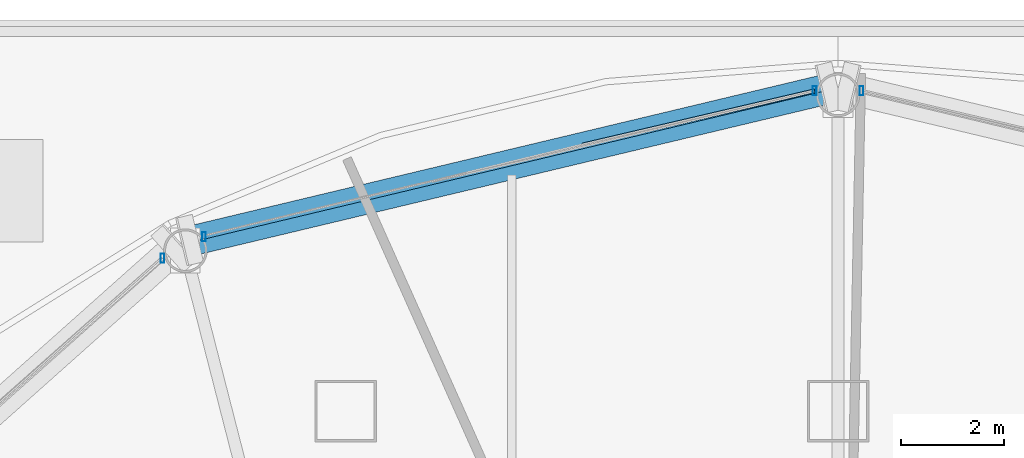
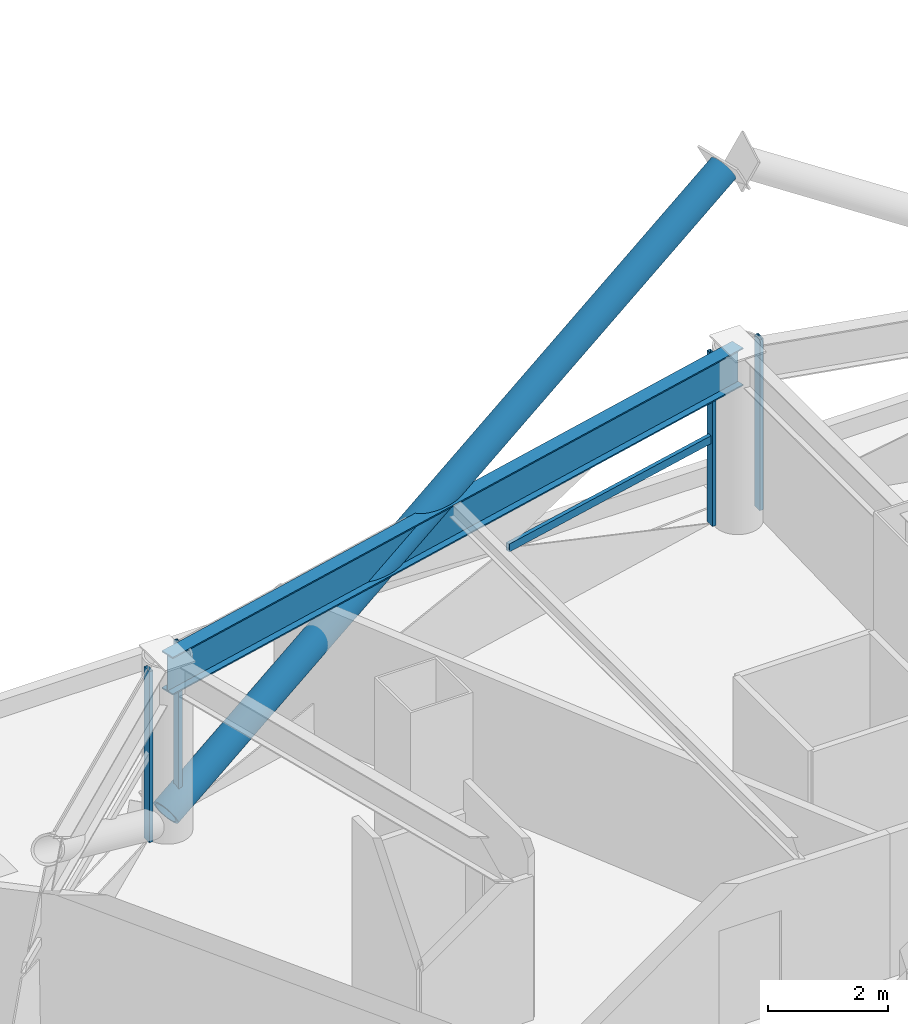
# One storey, part 14 of 27: 6 members, 1 beam, 3 elements without a shape of their own.
"""IFC4 building model written with IfcOpenShell, lengths in metres."""

from ifc_helpers import new_model, si_unit, direction, frame, origin, origin_2d, place, context, subcontext, project, spatial, hollow_rectangle, hollow_circle, i_section, extrude, material, layer, layer_set, material_profile, profile_set, type_object, element, aggregate, save


model = new_model("IFC4")

# Units and contexts
model_context = context("Model", 3, precision=1e-05, world=origin(), true_north=direction((0.0, 1.0)))
body_context = subcontext(model_context, "Body", "Model", "MODEL_VIEW")
ifc_project = project(units=[si_unit("LENGTHUNIT", "METRE"), si_unit("AREAUNIT", "SQUARE_METRE"), si_unit("VOLUMEUNIT", "CUBIC_METRE"), si_unit("PLANEANGLEUNIT", "RADIAN"), si_unit("MASSUNIT", "GRAM", prefix="KILO")], contexts=[model_context])

# Site, building, storey
site_placement = place(None, origin())
site = spatial("IfcSite", under=ifc_project, at=site_placement, CompositionType="ELEMENT")
building_placement = place(site_placement, origin())
building = spatial("IfcBuilding", under=site, at=building_placement, Name="Vantalir Tower", CompositionType="ELEMENT")
storey_placement = place(building_placement, frame((0.0, 0.0, 27.0)))
storey = spatial("IfcBuildingStorey", under=building, at=storey_placement, Name="L05", CompositionType="ELEMENT", Elevation=27.0)

# Beam
ifc_material_1 = material(Name="Steel S460", Category="steel")
ifc_material_profile_1 = material_profile(ifc_material_1, i_section(OverallWidth=0.26806640625, OverallDepth=0.77001953125, WebThickness=0.015625, FlangeThickness=0.025390625, at=origin_2d()), Name="Steel S460")
ifc_profile_set_1 = profile_set([ifc_material_profile_1], Name="Steel S460")
beam_type = type_object("IfcBeamType", Name="BM-RG-762x267", PredefinedType="USERDEFINED", material=ifc_profile_set_1)
beam_placement = place(storey_placement, frame((31.5, 47.6640625, 3.18505859375), z_axis=(-0.972696777879, -0.232079680935, 0.0), x_axis=(0.232079680935, -0.972696777879, 0.0)))
element("IfcBeam", 1, at=beam_placement, inside=storey, type_object=beam_type, Name="L05 Circumferential Ring Girder 04", ObjectType="GIRDER", PredefinedType="USERDEFINED", context=body_context, shape_type="SweptSolid", body=[
    extrude(i_section(OverallWidth=0.26806640625, OverallDepth=0.77001953125, WebThickness=0.015625, FlangeThickness=0.025390625, at=origin_2d()), origin(), (0.0, 0.0, 1.0), 13.082275390625),
])

# Curtain wall, member
ifc_material_2 = material(Name="Champagne-silver PVDF aluminium and double-silver Low-E glass", Category="aluminium")
ifc_layer = layer(ifc_material_2, 0.18994140625)
ifc_layer_set = layer_set([ifc_layer], Name="Champagne-silver PVDF aluminium and double-silver Low-E glass")
curtain_wall_type = type_object("IfcCurtainWallType", Name="CW-DIAMOND-Z1", PredefinedType="USERDEFINED", material=ifc_layer_set)
curtain_wall_1_placement = place(storey_placement, origin())
curtain_wall_1 = element("IfcCurtainWall", 2, at=curtain_wall_1_placement, inside=storey, type_object=curtain_wall_type, Name="L05 Quilted Pyramid-Diamond Curtain Wall S03", ObjectType="UNITISED CURTAIN WALL", PredefinedType="USERDEFINED")
ifc_material_3 = material(Name="Champagne-silver PVDF aluminium 6063-T6", Category="aluminium")
ifc_material_profile_2 = material_profile(ifc_material_3, hollow_rectangle(XDim=0.074951171875, YDim=0.179931640625, WallThickness=0.00390625, at=origin_2d()), Name="Champagne-silver PVDF aluminium 6063-T6")
ifc_profile_set_2 = profile_set([ifc_material_profile_2], Name="Champagne-silver PVDF aluminium 6063-T6")
member_type_1 = type_object("IfcMemberType", Name="CWM-180x75", PredefinedType="MULLION", material=ifc_profile_set_2)
member_1_placement = place(storey_placement, frame((31.95703125, 47.7451171875, 0.044921875), z_axis=(0.0, 0.0, 1.0), x_axis=(1.0, 0.0, 0.0)))
member_1 = element("IfcMember", 3, at=member_1_placement, type_object=member_type_1, Name="CW-L05-S03 Mullion 2", PredefinedType="MULLION", context=body_context, shape_type="SweptSolid", body=[
    extrude(hollow_rectangle(XDim=0.074951171875, YDim=0.179931640625, WallThickness=0.00390625, at=origin_2d()), origin(), (0.0, 0.0, 1.0), 3.47998046875),
])
aggregate(curtain_wall_1, [member_1])

# Curtain wall, members
curtain_wall_2_placement = place(storey_placement, origin())
curtain_wall_2 = element("IfcCurtainWall", 4, at=curtain_wall_2_placement, inside=storey, type_object=curtain_wall_type, Name="L05 Quilted Pyramid-Diamond Curtain Wall S04", ObjectType="UNITISED CURTAIN WALL", PredefinedType="USERDEFINED")
member_2_placement = place(storey_placement, frame((31.04296875, 47.7451171875, 0.044921875), z_axis=(0.0, 0.0, 1.0), x_axis=(1.0, 0.0, 0.0)))
member_2 = element("IfcMember", 5, at=member_2_placement, type_object=member_type_1, Name="CW-L05-S04 Mullion 1", PredefinedType="MULLION", context=body_context, shape_type="SweptSolid", body=[
    extrude(hollow_rectangle(XDim=0.074951171875, YDim=0.179931640625, WallThickness=0.00390625, at=origin_2d()), origin(), (0.0, 0.0, 1.0), 3.47998046875),
])
member_3_placement = place(storey_placement, frame((19.136962890625, 44.90087890625, 0.044921875), z_axis=(0.0, 0.0, 1.0), x_axis=(1.0, 0.0, 0.0)))
member_3 = element("IfcMember", 6, at=member_3_placement, type_object=member_type_1, Name="CW-L05-S04 Mullion 2", PredefinedType="MULLION", context=body_context, shape_type="SweptSolid", body=[
    extrude(hollow_rectangle(XDim=0.074951171875, YDim=0.179931640625, WallThickness=0.00390625, at=origin_2d()), origin(), (0.0, 0.0, 1.0), 3.47998046875),
])

# Curtain wall, member
curtain_wall_3_placement = place(storey_placement, origin())
curtain_wall_3 = element("IfcCurtainWall", 7, at=curtain_wall_3_placement, inside=storey, type_object=curtain_wall_type, Name="L05 Quilted Pyramid-Diamond Curtain Wall S05", ObjectType="UNITISED CURTAIN WALL", PredefinedType="USERDEFINED")
member_4_placement = place(storey_placement, frame((18.3291015625, 44.47900390625, 0.044921875), z_axis=(0.0, 0.0, 1.0), x_axis=(1.0, 0.0, 0.0)))
member_4 = element("IfcMember", 8, at=member_4_placement, type_object=member_type_1, Name="CW-L05-S05 Mullion 1", PredefinedType="MULLION", context=body_context, shape_type="SweptSolid", body=[
    extrude(hollow_rectangle(XDim=0.074951171875, YDim=0.179931640625, WallThickness=0.00390625, at=origin_2d()), origin(), (0.0, 0.0, 1.0), 3.47998046875),
])
aggregate(curtain_wall_3, [member_4])

# Member
ifc_material_profile_3 = material_profile(ifc_material_3, hollow_rectangle(XDim=0.074951171875, YDim=0.159912109375, WallThickness=0.00390625, at=origin_2d()), Name="Champagne-silver PVDF aluminium 6063-T6")
ifc_profile_set_3 = profile_set([ifc_material_profile_3], Name="Champagne-silver PVDF aluminium 6063-T6")
member_type_2 = type_object("IfcMemberType", Name="CWT-160x75", PredefinedType="USERDEFINED", material=ifc_profile_set_3)
member_5_placement = place(storey_placement, frame((31.04296875, 47.7451171875, 1.784912109375), z_axis=(-0.973835402479, -0.227254502438, 0.0), x_axis=(0.227254502438, -0.973835402479, 0.0)))
member_5 = element("IfcMember", 9, at=member_5_placement, type_object=member_type_2, Name="CW-L05-S04 Pyramid Fold Ridge Transom", ObjectType="TRANSOM", PredefinedType="USERDEFINED", context=body_context, shape_type="SweptSolid", body=[
    extrude(hollow_rectangle(XDim=0.074951171875, YDim=0.159912109375, WallThickness=0.00390625, at=origin_2d()), origin(), (0.0, 0.0, 1.0), 4.65185546875),
])

aggregate(curtain_wall_2, [member_2, member_3, member_5])

ifc_material_profile_4 = material_profile(ifc_material_1, hollow_circle(Radius=0.27001953125, WallThickness=0.044921875, at=origin_2d()), Name="Steel S460")
ifc_profile_set_4 = profile_set([ifc_material_profile_4], Name="Steel S460")
member_type_3 = type_object("IfcMemberType", Name="MEM-DB-540x45", PredefinedType="BRACE", material=ifc_profile_set_4)
member_6_placement = place(storey_placement, frame((18.867919921875, 44.8369140625, 0.18505859375), z_axis=(0.854681826413, 0.204133655505, 0.477334710963), x_axis=(-0.232307554099, 0.972642380481, 0.0)))
element("IfcMember", 10, at=member_6_placement, inside=storey, type_object=member_type_3, Name="L05 Perimeter S460 Diagrid Brace R13R", PredefinedType="BRACE", context=body_context, shape_type="SweptSolid", body=[
    extrude(hollow_circle(Radius=0.27001953125, WallThickness=0.044921875, at=origin_2d()), origin(), (0.0, 0.0, 1.0), 14.559814453125),
])

save(model, "model.ifc")
